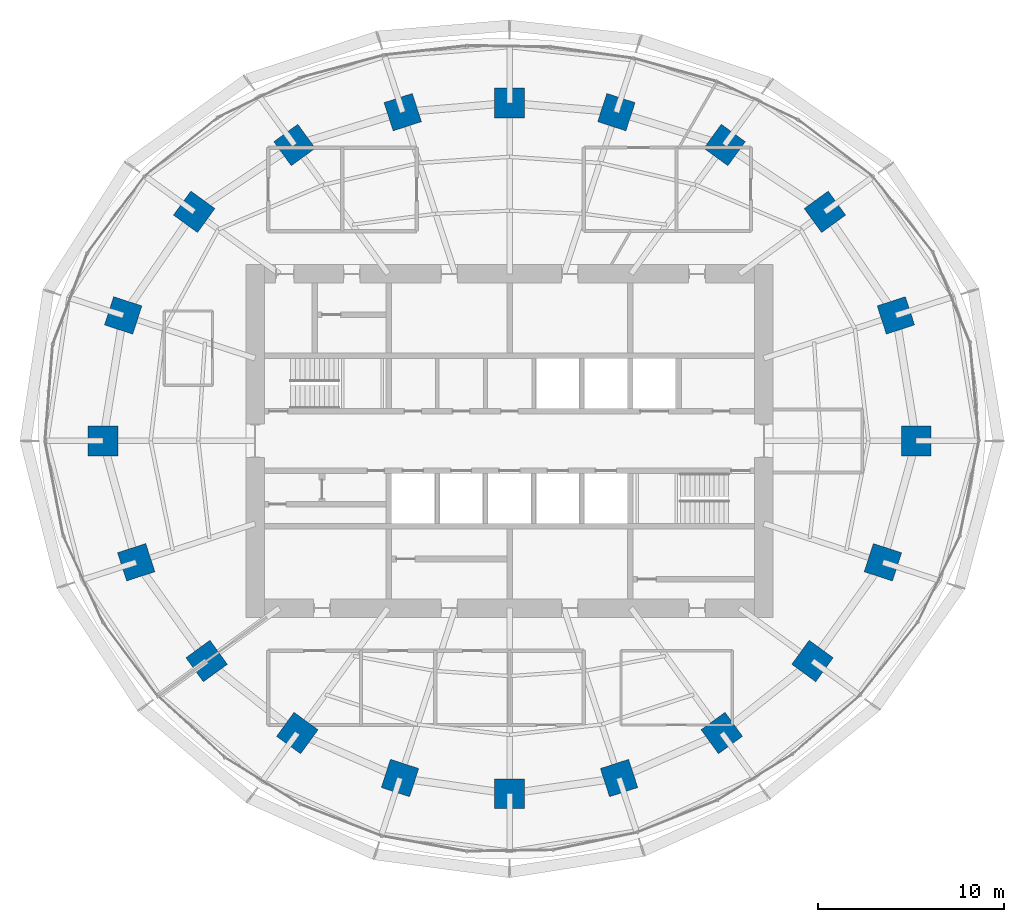
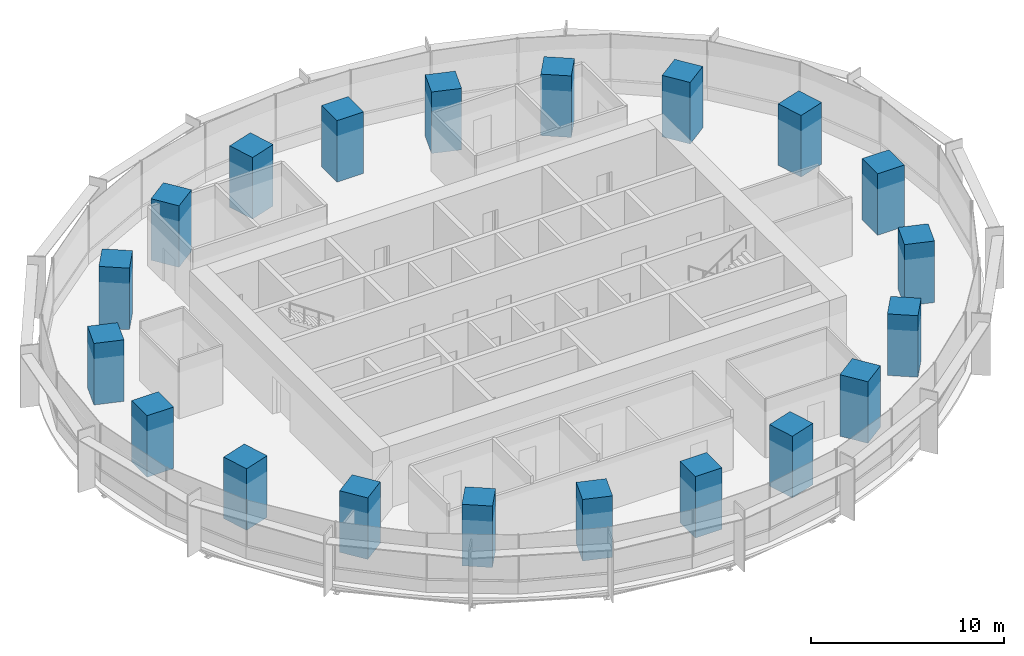
# One storey, part 1 of 14: 20 columns.
"""IFC4 building model written with IfcOpenShell, lengths in metres."""

import ifcopenshell
import ifcopenshell.guid

model = None  # the IFC model being written
_history = None  # IfcOwnerHistory: only IFC2X3 demands one
_inside = {}  # id of a spatial element -> (the spatial element, [elements in it])
_under = {}  # id of a project, library or spatial element -> (it, [spatial elements below it])
_declared = {}  # id of a project -> (the project, [libraries it declares])
_typed = {}  # id of a type object -> (the type object, [elements of that type])
_made_of = {}  # id of a material, layer set ... -> (it, [elements and type objects made of it])


def new_model(schema):
    """Start an empty IFC model of exactly this schema.

    Asked for "IFC4X3", IfcOpenShell would pick the latest addendum, in which some entities
    have other attributes; the version numbers below select the first issue.
    IFC2X3 requires an IfcOwnerHistory on every rooted entity: one is made here for all.
    """
    global model, _history
    if schema == "IFC4X3":
        model = ifcopenshell.file(schema_version=(4, 3, 0, 0))
    else:
        model = ifcopenshell.file(schema=schema)
    _inside.clear()
    _under.clear()
    _declared.clear()
    _typed.clear()
    _made_of.clear()
    _history = None
    if model.schema == "IFC2X3":
        org = make("IfcOrganization", Name="unknown")
        user = make(
            "IfcPersonAndOrganization",
            ThePerson=make("IfcPerson", FamilyName="unknown"),
            TheOrganization=org,
        )
        app = make(
            "IfcApplication",
            ApplicationDeveloper=org,
            Version="unknown",
            ApplicationFullName="unknown",
            ApplicationIdentifier="unknown",
        )
        _history = make(
            "IfcOwnerHistory",
            OwningUser=user,
            OwningApplication=app,
            ChangeAction="ADDED",
            CreationDate=0,
        )
    return model


def make(cls, **values):
    """One entity of the class cls with the attributes given. An attribute that is None is left unset."""
    return model.create_entity(
        cls, **{name: value for name, value in values.items() if value is not None}
    )


def rooted(cls, **values):
    """An entity with a GlobalId (a new one), such as an element, a storey or a relation."""
    return make(cls, GlobalId=ifcopenshell.guid.new(), OwnerHistory=_history, **values)


def si_unit(unit_type, name, prefix=None):
    """IfcSIUnit, for example si_unit("LENGTHUNIT", "METRE", prefix="MILLI")."""
    return make("IfcSIUnit", UnitType=unit_type, Prefix=prefix, Name=name)


def assignment(units):
    """IfcUnitAssignment: the units of a project."""
    return None if units is None else make("IfcUnitAssignment", Units=units)


def point(xyz):
    """IfcCartesianPoint."""
    return None if xyz is None else make("IfcCartesianPoint", Coordinates=xyz)


def direction(xyz):
    """IfcDirection."""
    return None if xyz is None else make("IfcDirection", DirectionRatios=xyz)


def frame(location, z_axis=None, x_axis=None):
    """IfcAxis2Placement3D, a coordinate frame: its origin and axes. An axis left out is left unset."""
    return make(
        "IfcAxis2Placement3D",
        Location=point(location),
        Axis=direction(z_axis),
        RefDirection=direction(x_axis),
    )


def frame_2d(location, x_axis=None):
    """IfcAxis2Placement2D, a coordinate frame in the plane: its origin and x axis."""
    return make(
        "IfcAxis2Placement2D", Location=point(location), RefDirection=direction(x_axis)
    )


def origin():
    """The frame at (0, 0, 0) with its axes left unset."""
    return frame((0.0, 0.0, 0.0))


def origin_2d():
    """The frame at (0, 0) in the plane with its x axis left unset."""
    return frame_2d((0.0, 0.0))


def place(relative_to, where):
    """IfcLocalPlacement: puts the frame where relative to a parent placement (None: the world)."""
    return make(
        "IfcLocalPlacement", PlacementRelTo=relative_to, RelativePlacement=where
    )


def context(
    kind, dimensions, precision=None, world=None, true_north=None, identifier=None
):
    """IfcGeometricRepresentationContext, for example the 3D "Model" context."""
    return make(
        "IfcGeometricRepresentationContext",
        ContextIdentifier=identifier,
        ContextType=kind,
        CoordinateSpaceDimension=dimensions,
        Precision=precision,
        WorldCoordinateSystem=world,
        TrueNorth=true_north,
    )


def subcontext(parent, identifier, kind, view, scale=None):
    """IfcGeometricRepresentationSubContext, for example "Body" below "Model"."""
    return make(
        "IfcGeometricRepresentationSubContext",
        ContextIdentifier=identifier,
        ContextType=kind,
        ParentContext=parent,
        TargetScale=scale,
        TargetView=view,
    )


def project(units=None, contexts=None):
    """IfcProject with its units and contexts."""
    return rooted(
        "IfcProject",
        Name="project",
        RepresentationContexts=contexts,
        UnitsInContext=assignment(units),
    )


def spatial(cls, under=None, at=None, **own):
    """A site, building, storey or space (cls), placed at a placement, below another one or the project."""
    s = rooted(cls, ObjectPlacement=at, **own)
    if under is not None:
        _under.setdefault(under.id(), (under, []))[1].append(s)
    return s


def profile(cls, at=None, kind="AREA", **sizes):
    """A parametric profile (cls). Its sizes go by their IFC names, for example OverallWidth=200.0."""
    return make(cls, ProfileType=kind, Position=at, **sizes)


def rectangle(**sizes):
    """IfcRectangleProfileDef."""
    return profile("IfcRectangleProfileDef", **sizes)


def extrude(swept, where, along, depth):
    """IfcExtrudedAreaSolid: the profile swept, set in the frame where, extruded along a direction by depth."""
    return make(
        "IfcExtrudedAreaSolid",
        SweptArea=swept,
        Position=where,
        ExtrudedDirection=direction(along),
        Depth=depth,
    )


def shape(context_of_items, identifier, shape_type, items):
    """IfcShapeRepresentation: the items that make up one representation, for example the "Body"."""
    return make(
        "IfcShapeRepresentation",
        ContextOfItems=context_of_items,
        RepresentationIdentifier=identifier,
        RepresentationType=shape_type,
        Items=items,
    )


def material(Name=None, Category=None):
    """IfcMaterial."""
    return make("IfcMaterial", Name=Name, Category=Category)


def material_profile(
    of_material, cross_section, Name=None, Category=None, Priority=None
):
    """IfcMaterialProfile: a cross section and its material."""
    return make(
        "IfcMaterialProfile",
        Name=Name,
        Material=of_material,
        Profile=cross_section,
        Priority=Priority,
        Category=Category,
    )


def profile_set(profiles, Name=None, composite=None):
    """IfcMaterialProfileSet."""
    return make(
        "IfcMaterialProfileSet",
        Name=Name,
        MaterialProfiles=profiles,
        CompositeProfile=composite,
    )


def made_of(thing, what):
    """Note that an element or type object is made of a material, layer set ...; save() writes the relation."""
    if what is not None:
        _made_of.setdefault(what.id(), (what, []))[1].append(thing)
    return thing


def type_object(cls, material=None, **own):
    """A type object (cls), such as IfcWallType, which elements share."""
    return made_of(rooted(cls, **own), material)


def element(
    cls,
    number,
    at=None,
    inside=None,
    cuts=None,
    type_object=None,
    material=None,
    context=None,
    identifier="Body",
    shape_type=None,
    held_by="IfcProductDefinitionShape",
    body=None,
    shapes=None,
    **own,
):
    """One element of the class cls, such as IfcWall. Its Tag is "e" and its number.

    at: its placement. inside: the storey or other place that contains it. cuts: it is an
    opening in that element (IfcRelVoidsElement). A single representation is given by context,
    identifier, shape_type and body (its items); several are given by shapes. held_by: the class
    of the entity that holds the representations. save() writes the other relations.
    """
    e = rooted(cls, Tag="e%d" % number, ObjectPlacement=at, **own)
    if body is not None:
        shapes = [shape(context, identifier, shape_type, body)]
    if shapes is not None:
        e.Representation = make(held_by, Representations=shapes)
    if inside is not None:
        _inside.setdefault(inside.id(), (inside, []))[1].append(e)
    if cuts is not None:
        rooted(
            "IfcRelVoidsElement", RelatingBuildingElement=cuts, RelatedOpeningElement=e
        )
    if type_object is not None:
        _typed.setdefault(type_object.id(), (type_object, []))[1].append(e)
    return made_of(e, material)


def aggregate(whole, parts):
    """IfcRelAggregates: a whole, such as a stair, and the parts it consists of."""
    return rooted("IfcRelAggregates", RelatingObject=whole, RelatedObjects=parts)


def save(model, path):
    """Write the relations noted so far, then the file.

    IfcRelAggregates (storeys below a building ...), IfcRelContainedInSpatialStructure (elements
    in a storey), IfcRelDefinesByType, IfcRelAssociatesMaterial and IfcRelDeclares: one each for
    every whole, place, type object, material and project.
    """
    for whole, parts in _under.values():
        aggregate(whole, parts)
    for where, things in _inside.values():
        rooted(
            "IfcRelContainedInSpatialStructure",
            RelatedElements=things,
            RelatingStructure=where,
        )
    for kind, things in _typed.values():
        rooted("IfcRelDefinesByType", RelatedObjects=things, RelatingType=kind)
    for what, things in _made_of.values():
        rooted("IfcRelAssociatesMaterial", RelatedObjects=things, RelatingMaterial=what)
    for by, libraries in _declared.values():
        rooted("IfcRelDeclares", RelatingContext=by, RelatedDefinitions=libraries)
    model.write(path)


model = new_model("IFC4")

# Units and contexts
model_context = context("Model", 3, precision=1e-05, world=origin(), true_north=direction((0.0, 1.0)))
body_context = subcontext(model_context, "Body", "Model", "MODEL_VIEW")
ifc_project = project(units=[si_unit("LENGTHUNIT", "METRE"), si_unit("AREAUNIT", "SQUARE_METRE"), si_unit("VOLUMEUNIT", "CUBIC_METRE"), si_unit("PLANEANGLEUNIT", "RADIAN"), si_unit("MASSUNIT", "GRAM", prefix="KILO")], contexts=[model_context])

# Site, building, storey
site_placement = place(None, origin())
site = spatial("IfcSite", under=ifc_project, at=site_placement, CompositionType="ELEMENT")
building_placement = place(site_placement, origin())
building = spatial("IfcBuilding", under=site, at=building_placement, Name="Marramba Exchange Tower", CompositionType="ELEMENT")
storey_placement = place(building_placement, frame((0.0, 0.0, 135.300048828125)))
storey = spatial("IfcBuildingStorey", under=building, at=storey_placement, Name="L32", CompositionType="ELEMENT", Elevation=135.300048828125)

# Columns
ifc_material = material(Name="Concrete N50", Category="concrete")
ifc_material_profile = material_profile(ifc_material, rectangle(XDim=1.60009765625, YDim=1.60009765625, at=origin_2d()), Name="RC 1600x1600")
ifc_profile_set = profile_set([ifc_material_profile], Name="Concrete N50")
column_type = type_object("IfcColumnType", Name="Perimeter column RC 1600x1600 N50", PredefinedType="COLUMN", material=ifc_profile_set)
for number, where, z_axis, x_axis, name in (
    (1, (21.89990234375, 0.0, 0.0), (0.0, 0.0, 1.0), (1.0, 0.0, 0.0), "Column TC01 L32"),
    (2, (20.808349609375, 6.760986328125, 0.0), (0.0, 0.0, 1.0), (0.951056516295, 0.309016994375, 0.0), "Column TC02 L32"),
    (3, (16.98583984375, 12.3408203125, 0.0), (0.0, 0.0, 1.0), (0.809016994375, 0.587785252292, 0.0), "Column TC03 L32"),
    (4, (11.581298828125, 15.9404296875, 0.0), (0.0, 0.0, 1.0), (0.587785252292, 0.809016994375, 0.0), "Column TC04 L32"),
    (5, (5.75390625, 17.70849609375, 0.0), (0.0, 0.0, 1.0), (0.309016994375, 0.951056516295, 0.0), "Column TC05 L32"),
    (6, (0.0, 18.2041015625, 0.0), (0.0, 0.0, 1.0), (0.0, 1.0, 0.0), "Column TC06 L32"),
    (7, (-5.75390625, 17.70849609375, 0.0), (0.0, 0.0, 1.0), (-0.309016994375, 0.951056516295, 0.0), "Column TC07 L32"),
    (8, (-11.581298828125, 15.9404296875, 0.0), (0.0, 0.0, 1.0), (-0.587785252292, 0.809016994375, 0.0), "Column TC08 L32"),
    (9, (-16.98583984375, 12.3408203125, 0.0), (0.0, 0.0, 1.0), (-0.809016994375, 0.587785252292, 0.0), "Column TC09 L32"),
    (10, (-20.808349609375, 6.760986328125, 0.0), (0.0, 0.0, 1.0), (-0.951056516295, 0.309016994375, 0.0), "Column TC10 L32"),
    (11, (-21.89990234375, 0.0, 0.0), (0.0, 0.0, 1.0), (-1.0, 0.0, 0.0), "Column TC11 L32"),
    (12, (-20.109375, -6.533935546875, 0.0), (0.0, 0.0, 1.0), (-0.951056516295, -0.309016994375, 0.0), "Column TC12 L32"),
    (13, (-16.3154296875, -11.853759765625, 0.0), (0.0, 0.0, 1.0), (-0.809016994375, -0.587785252292, 0.0), "Column TC13 L32"),
    (14, (-11.430419921875, -15.732666015625, 0.0), (0.0, 0.0, 1.0), (-0.587785252292, -0.809016994375, 0.0), "Column TC14 L32"),
    (15, (-5.899658203125, -18.156982421875, 0.0), (0.0, 0.0, 1.0), (-0.309016994375, -0.951056516295, 0.0), "Column TC15 L32"),
    (16, (0.0, -18.99609375, 0.0), (0.0, 0.0, 1.0), (0.0, -1.0, 0.0), "Column TC16 L32"),
    (17, (5.899658203125, -18.156982421875, 0.0), (0.0, 0.0, 1.0), (0.309016994375, -0.951056516295, 0.0), "Column TC17 L32"),
    (18, (11.430419921875, -15.732666015625, 0.0), (0.0, 0.0, 1.0), (0.587785252292, -0.809016994375, 0.0), "Column TC18 L32"),
    (19, (16.3154296875, -11.853759765625, 0.0), (0.0, 0.0, 1.0), (0.809016994375, -0.587785252292, 0.0), "Column TC19 L32"),
    (20, (20.109375, -6.533935546875, 0.0), (0.0, 0.0, 1.0), (0.951056516295, -0.309016994375, 0.0), "Column TC20 L32"),
):
    element("IfcColumn", number, at=place(storey_placement, frame(where, z_axis=z_axis, x_axis=x_axis)), inside=storey, type_object=column_type, Name=name, PredefinedType="COLUMN", context=body_context, shape_type="SweptSolid", body=[
        extrude(rectangle(XDim=1.60009765625, YDim=1.60009765625, at=origin_2d()), origin(), (0.0, 0.0, 1.0), 3.89990234375),
    ])

save(model, "model.ifc")
